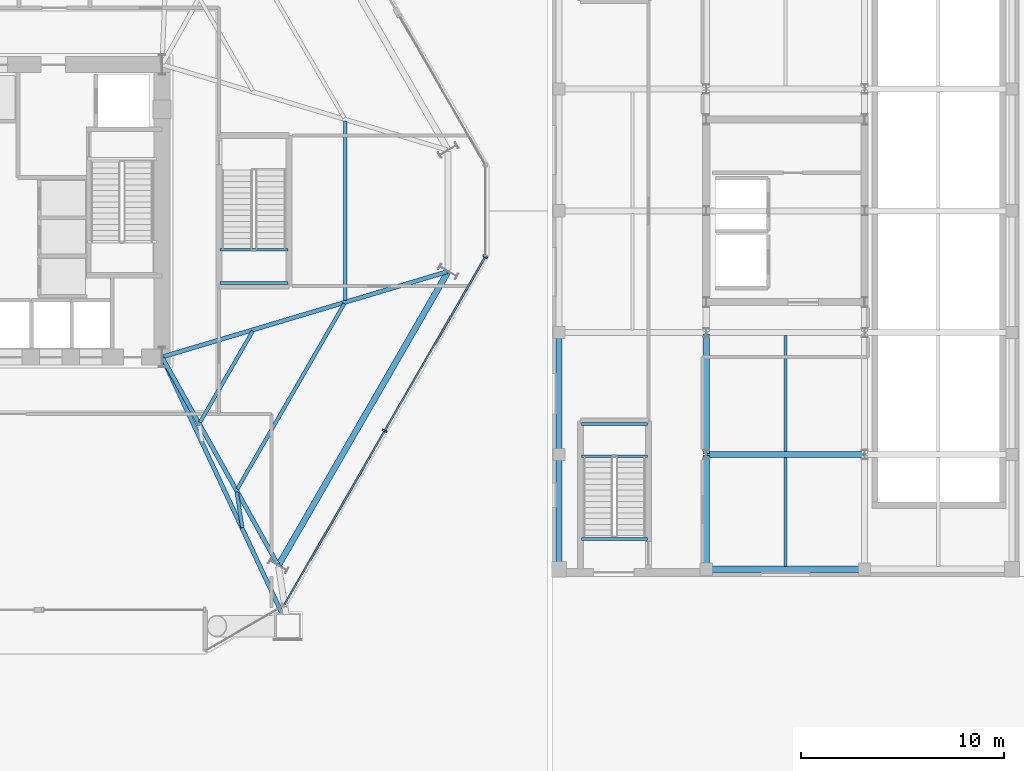
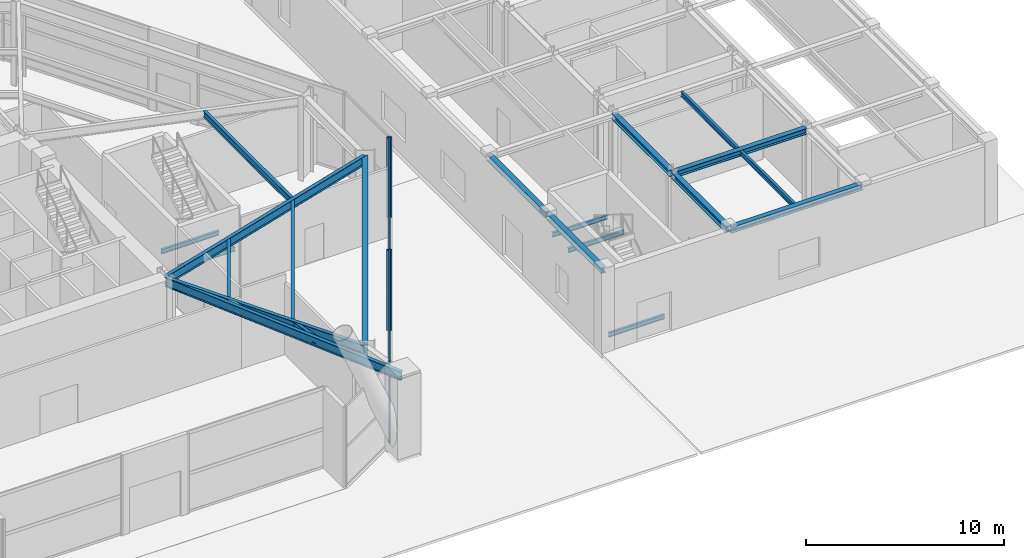
# One storey, part 9 of 26: 21 beams, 8 members, 1 element without a shape of its own.
"""IFC4 building model written with IfcOpenShell, lengths in metres."""

from ifc_helpers import new_model, si_unit, direction, frame, origin, origin_2d, place, context, subcontext, project, spatial, rectangle, i_section, extrude, material, layer, layer_set, material_profile, profile_set, type_object, element, aggregate, save


model = new_model("IFC4")

# Units and contexts
model_context = context("Model", 3, precision=1e-05, world=origin(), true_north=direction((0.0, 1.0)))
body_context = subcontext(model_context, "Body", "Model", "MODEL_VIEW")
ifc_project = project(units=[si_unit("LENGTHUNIT", "METRE"), si_unit("AREAUNIT", "SQUARE_METRE"), si_unit("VOLUMEUNIT", "CUBIC_METRE"), si_unit("PLANEANGLEUNIT", "RADIAN"), si_unit("MASSUNIT", "GRAM", prefix="KILO")], contexts=[model_context])

# Site, building, storey
site_placement = place(None, origin())
site = spatial("IfcSite", under=ifc_project, at=site_placement, CompositionType="ELEMENT")
building_placement = place(site_placement, origin())
building = spatial("IfcBuilding", under=site, at=building_placement, Name="Kranzbogen Civic Tower", CompositionType="ELEMENT")
storey_placement = place(building_placement, origin())
storey = spatial("IfcBuildingStorey", under=building, at=storey_placement, Name="L00", CompositionType="ELEMENT", Elevation=0.0)

# Curtain wall, members
ifc_material_1 = material(Name="Pale Anodised Aluminium", Category="aluminium")
ifc_layer = layer(ifc_material_1, 0.219970703125, Name="Pale Anodised Aluminium")
ifc_layer_set = layer_set([ifc_layer], Name="Pale Anodised Aluminium")
curtain_wall_type = type_object("IfcCurtainWallType", Name="Podium Stick Curtain Wall System CW-01", PredefinedType="USERDEFINED", material=ifc_layer_set)
curtain_wall_placement = place(storey_placement, origin())
curtain_wall = element("IfcCurtainWall", 1, at=curtain_wall_placement, inside=storey, type_object=curtain_wall_type, Name="L00 curtain wall CW-L00-F6", ObjectType="STICK CURTAIN WALL", PredefinedType="USERDEFINED")
ifc_material_profile_1 = material_profile(ifc_material_1, rectangle(XDim=0.0849609375, YDim=0.260009765625, at=origin_2d()), Name="ALU-M 85x260")
ifc_profile_set_1 = profile_set([ifc_material_profile_1], Name="Pale Anodised Aluminium")
member_type_1 = type_object("IfcMemberType", Name="Curtain Wall Mullion ALU-M 85x260", PredefinedType="MULLION", material=ifc_profile_set_1)
member_1_placement = place(storey_placement, frame((43.76904296875, 14.16357421875, 0.0), z_axis=(0.0, 0.0, 1.0), x_axis=(0.500005767433, 0.86602207393, 0.0)))
member_1 = element("IfcMember", 2, at=member_1_placement, type_object=member_type_1, Name="CW-01 mullion 2", PredefinedType="MULLION", context=body_context, shape_type="SweptSolid", body=[
    extrude(rectangle(XDim=0.0849609375, YDim=0.260009765625, at=origin_2d()), origin(), (0.0, 0.0, 1.0), 4.93994140625),
])
member_2_placement = place(storey_placement, frame((48.718994140625, 22.737060546875, 0.0), z_axis=(0.0, 0.0, 1.0), x_axis=(0.500005767433, 0.86602207393, 0.0)))
member_2 = element("IfcMember", 3, at=member_2_placement, type_object=member_type_1, Name="CW-01 mullion 3", PredefinedType="MULLION", context=body_context, shape_type="SweptSolid", body=[
    extrude(rectangle(XDim=0.0849609375, YDim=0.260009765625, at=origin_2d()), origin(), (0.0, 0.0, 1.0), 4.93994140625),
])
ifc_material_profile_2 = material_profile(ifc_material_1, rectangle(XDim=0.0849609375, YDim=0.195068359375, at=origin_2d()), Name="ALU-T 85x195")
ifc_profile_set_2 = profile_set([ifc_material_profile_2], Name="Pale Anodised Aluminium")
member_type_2 = type_object("IfcMemberType", Name="Curtain Wall Transom ALU-T 85x195", PredefinedType="USERDEFINED", material=ifc_profile_set_2)
member_3_placement = place(storey_placement, frame((38.833984375, 5.615966796875, 0.030029296875), z_axis=(0.500003092839, 0.866023618125, 0.0), x_axis=(-0.866023618125, 0.500003092839, 0.0)))
member_3 = element("IfcMember", 4, at=member_3_placement, type_object=member_type_2, Name="CW-01 transom 1.1", ObjectType="TRANSOM", PredefinedType="USERDEFINED", context=body_context, shape_type="SweptSolid", body=[
    extrude(rectangle(XDim=0.0849609375, YDim=0.195068359375, at=origin_2d()), origin(), (0.0, 0.0, 1.0), 9.83984375),
])
member_4_placement = place(storey_placement, frame((38.833984375, 5.615966796875, 2.39990234375), z_axis=(0.500003092839, 0.866023618125, 0.0), x_axis=(-0.866023618125, 0.500003092839, 0.0)))
member_4 = element("IfcMember", 5, at=member_4_placement, type_object=member_type_2, Name="CW-01 transom 1.2", ObjectType="TRANSOM", PredefinedType="USERDEFINED", context=body_context, shape_type="SweptSolid", body=[
    extrude(rectangle(XDim=0.0849609375, YDim=0.195068359375, at=origin_2d()), origin(), (0.0, 0.0, 1.0), 9.83984375),
])
member_5_placement = place(storey_placement, frame((38.833984375, 5.615966796875, 4.909912109375), z_axis=(0.500003092839, 0.866023618125, 0.0), x_axis=(-0.866023618125, 0.500003092839, 0.0)))
member_5 = element("IfcMember", 6, at=member_5_placement, type_object=member_type_2, Name="CW-01 transom 1.3", ObjectType="TRANSOM", PredefinedType="USERDEFINED", context=body_context, shape_type="SweptSolid", body=[
    extrude(rectangle(XDim=0.0849609375, YDim=0.195068359375, at=origin_2d()), origin(), (0.0, 0.0, 1.0), 9.83984375),
])
member_6_placement = place(storey_placement, frame((43.783935546875, 14.189453125, 0.030029296875), z_axis=(0.500021701106, 0.866012874282, 0.0), x_axis=(-0.866012874282, 0.500021701106, 0.0)))
member_6 = element("IfcMember", 7, at=member_6_placement, type_object=member_type_2, Name="CW-01 transom 2.1", ObjectType="TRANSOM", PredefinedType="USERDEFINED", context=body_context, shape_type="SweptSolid", body=[
    extrude(rectangle(XDim=0.0849609375, YDim=0.195068359375, at=origin_2d()), origin(), (0.0, 0.0, 1.0), 9.83984375),
])
member_7_placement = place(storey_placement, frame((43.783935546875, 14.189453125, 2.39990234375), z_axis=(0.500021701106, 0.866012874282, 0.0), x_axis=(-0.866012874282, 0.500021701106, 0.0)))
member_7 = element("IfcMember", 8, at=member_7_placement, type_object=member_type_2, Name="CW-01 transom 2.2", ObjectType="TRANSOM", PredefinedType="USERDEFINED", context=body_context, shape_type="SweptSolid", body=[
    extrude(rectangle(XDim=0.0849609375, YDim=0.195068359375, at=origin_2d()), origin(), (0.0, 0.0, 1.0), 9.83984375),
])
member_8_placement = place(storey_placement, frame((43.783935546875, 14.189453125, 4.909912109375), z_axis=(0.500021701106, 0.866012874282, 0.0), x_axis=(-0.866012874282, 0.500021701106, 0.0)))
member_8 = element("IfcMember", 9, at=member_8_placement, type_object=member_type_2, Name="CW-01 transom 2.3", ObjectType="TRANSOM", PredefinedType="USERDEFINED", context=body_context, shape_type="SweptSolid", body=[
    extrude(rectangle(XDim=0.0849609375, YDim=0.195068359375, at=origin_2d()), origin(), (0.0, 0.0, 1.0), 9.83984375),
])
aggregate(curtain_wall, [member_1, member_2, member_3, member_4, member_5, member_6, member_7, member_8])

# Beams
ifc_material_2 = material(Name="Steel S355", Category="steel")
ifc_material_profile_3 = material_profile(ifc_material_2, i_section(OverallWidth=0.300048828125, OverallDepth=0.360107421875, WebThickness=0.012451171875, FlangeThickness=0.0224609375, at=origin_2d()), Name="HEB 360")
ifc_profile_set_3 = profile_set([ifc_material_profile_3], Name="Steel S355")
beam_type_1 = type_object("IfcBeamType", Name="Health Centre Primary Floor Beam HEB 360", PredefinedType="BEAM", material=ifc_profile_set_3)
for number, where, z_axis, x_axis, name in (
    (10, (59.659912109375, 7.35009765625, 4.760009765625), (1.0, 0.0, 0.0), (0.0, 1.0, 0.0), "L00 Health Centre X girder 2-1"),
    (11, (59.659912109375, 13.0, 4.760009765625), (1.0, 0.0, 0.0), (0.0, 1.0, 0.0), "L00 Health Centre X girder 2-2"),
):
    element("IfcBeam", number, at=place(storey_placement, frame(where, z_axis=z_axis, x_axis=x_axis)), inside=storey, type_object=beam_type_1, Name=name, PredefinedType="BEAM", context=body_context, shape_type="SweptSolid", body=[
        extrude(i_section(OverallWidth=0.300048828125, OverallDepth=0.360107421875, WebThickness=0.012451171875, FlangeThickness=0.0224609375, at=origin_2d()), origin(), (0.0, 0.0, 1.0), 7.68017578125),
    ])
for number, where, z_axis, x_axis, name in (
    (12, (52.35009765625, 7.409912109375, 4.760009765625), (0.0, 1.0, 0.0), (-1.0, 0.0, 0.0), "L00 Health Centre Y girder 1-1"),
    (13, (59.60009765625, 7.409912109375, 4.760009765625), (0.0, 1.0, 0.0), (-1.0, 0.0, 0.0), "L00 Health Centre Y girder 2-1"),
):
    element("IfcBeam", number, at=place(storey_placement, frame(where, z_axis=z_axis, x_axis=x_axis)), inside=storey, type_object=beam_type_1, Name=name, PredefinedType="BEAM", context=body_context, shape_type="SweptSolid", body=[
        extrude(i_section(OverallWidth=0.300048828125, OverallDepth=0.360107421875, WebThickness=0.012451171875, FlangeThickness=0.0224609375, at=origin_2d()), origin(), (0.0, 0.0, 1.0), 5.530029296875),
    ])
for number, where, z_axis, x_axis, name in (
    (14, (52.35009765625, 13.06005859375, 4.760009765625), (0.0, 1.0, 0.0), (-1.0, 0.0, 0.0), "L00 Health Centre Y girder 1-2"),
    (15, (59.60009765625, 13.06005859375, 4.760009765625), (0.0, 1.0, 0.0), (-1.0, 0.0, 0.0), "L00 Health Centre Y girder 2-2"),
):
    element("IfcBeam", number, at=place(storey_placement, frame(where, z_axis=z_axis, x_axis=x_axis)), inside=storey, type_object=beam_type_1, Name=name, PredefinedType="BEAM", context=body_context, shape_type="SweptSolid", body=[
        extrude(i_section(OverallWidth=0.300048828125, OverallDepth=0.360107421875, WebThickness=0.012451171875, FlangeThickness=0.0224609375, at=origin_2d()), origin(), (0.0, 0.0, 1.0), 5.8798828125),
    ])
ifc_material_profile_4 = material_profile(ifc_material_2, i_section(OverallWidth=0.14990234375, OverallDepth=0.300048828125, WebThickness=0.007080078125, FlangeThickness=0.0107421875, at=origin_2d()), Name="IPE 300")
ifc_profile_set_4 = profile_set([ifc_material_profile_4], Name="Steel S355")
beam_type_2 = type_object("IfcBeamType", Name="Health Centre Secondary Joist IPE 300", PredefinedType="JOIST", material=ifc_profile_set_4)
beam_1_placement = place(storey_placement, frame((63.5, 7.489990234375, 4.7900390625), z_axis=(0.0, 1.0, 0.0), x_axis=(-1.0, 0.0, 0.0)))
element("IfcBeam", 16, at=beam_1_placement, inside=storey, type_object=beam_type_2, Name="L00 Health Centre secondary joist 2-1", PredefinedType="JOIST", context=body_context, shape_type="SweptSolid", body=[
    extrude(i_section(OverallWidth=0.14990234375, OverallDepth=0.300048828125, WebThickness=0.007080078125, FlangeThickness=0.0107421875, at=origin_2d()), origin(), (0.0, 0.0, 1.0), 5.3701171875),
])
beam_2_placement = place(storey_placement, frame((63.5, 13.139892578125, 4.7900390625), z_axis=(0.0, 1.0, 0.0), x_axis=(-1.0, 0.0, 0.0)))
element("IfcBeam", 17, at=beam_2_placement, inside=storey, type_object=beam_type_2, Name="L00 Health Centre secondary joist 2-2", PredefinedType="JOIST", context=body_context, shape_type="SweptSolid", body=[
    extrude(i_section(OverallWidth=0.14990234375, OverallDepth=0.300048828125, WebThickness=0.007080078125, FlangeThickness=0.0107421875, at=origin_2d()), origin(), (0.0, 0.0, 1.0), 5.72021484375),
])
ifc_material_profile_5 = material_profile(ifc_material_2, i_section(OverallWidth=0.300048828125, OverallDepth=0.699951171875, WebThickness=0.01708984375, FlangeThickness=0.031982421875, at=origin_2d()), Name="HEB 700")
ifc_profile_set_5 = profile_set([ifc_material_profile_5], Name="Steel S355")
beam_type_3 = type_object("IfcBeamType", Name="Perimeter Tube Spandrel Beam HEB 700", PredefinedType="SPANDREL", material=ifc_profile_set_5)
beam_3_placement = place(storey_placement, frame((38.56103515625, 7.587890625, 4.590087890625), z_axis=(0.500010210561, 0.866019508634, 0.0), x_axis=(-0.866019508634, 0.500010210561, 0.0)))
element("IfcBeam", 18, at=beam_3_placement, inside=storey, type_object=beam_type_3, Name="L00 perimeter spandrel beam 05", PredefinedType="SPANDREL", context=body_context, shape_type="SweptSolid", body=[
    extrude(i_section(OverallWidth=0.300048828125, OverallDepth=0.699951171875, WebThickness=0.01708984375, FlangeThickness=0.031982421875, at=origin_2d()), origin(), (0.0, 0.0, 1.0), 16.597900390625),
])
ifc_material_profile_6 = material_profile(ifc_material_2, i_section(OverallWidth=0.2099609375, OverallDepth=0.550048828125, WebThickness=0.010986328125, FlangeThickness=0.01708984375, at=origin_2d()), Name="IPE 550")
ifc_profile_set_6 = profile_set([ifc_material_profile_6], Name="Steel S355")
beam_type_4 = type_object("IfcBeamType", Name="Radial Tower Floor Girder IPE 550", PredefinedType="BEAM", material=ifc_profile_set_6)
beam_4_placement = place(storey_placement, frame((38.97509765625, 4.60400390625, 4.6650390625), z_axis=(-0.423857000271, 0.905729122487, 0.0), x_axis=(-0.905729122487, -0.423857000271, 0.0)))
element("IfcBeam", 19, at=beam_4_placement, inside=storey, type_object=beam_type_4, Name="L00 radial floor girder 04", PredefinedType="BEAM", context=body_context, shape_type="SweptSolid", body=[
    extrude(i_section(OverallWidth=0.2099609375, OverallDepth=0.550048828125, WebThickness=0.010986328125, FlangeThickness=0.01708984375, at=origin_2d()), origin(), (0.0, 0.0, 1.0), 14.510009765625),
])
beam_5_placement = place(storey_placement, frame((38.501953125, 7.587890625, 4.6650390625), z_axis=(-0.487501570266, 0.87312211001, 0.0), x_axis=(-0.87312211001, -0.487501570266, 0.0)))
element("IfcBeam", 20, at=beam_5_placement, inside=storey, type_object=beam_type_4, Name="L00 radial floor girder 05", PredefinedType="BEAM", context=body_context, shape_type="SweptSolid", body=[
    extrude(i_section(OverallWidth=0.2099609375, OverallDepth=0.550048828125, WebThickness=0.010986328125, FlangeThickness=0.01708984375, at=origin_2d()), origin(), (0.0, 0.0, 1.0), 11.636474609375),
])
beam_6_placement = place(storey_placement, frame((46.8330078125, 21.9970703125, 4.6650390625), z_axis=(-0.958064557048, -0.286552446385, 0.0), x_axis=(0.286552446385, -0.958064557048, 0.0)))
element("IfcBeam", 21, at=beam_6_placement, inside=storey, type_object=beam_type_4, Name="L00 radial floor girder 06", PredefinedType="BEAM", context=body_context, shape_type="SweptSolid", body=[
    extrude(i_section(OverallWidth=0.2099609375, OverallDepth=0.550048828125, WebThickness=0.010986328125, FlangeThickness=0.01708984375, at=origin_2d()), origin(), (0.0, 0.0, 1.0), 14.587890625),
])
ifc_material_profile_7 = material_profile(ifc_material_2, i_section(OverallWidth=0.179931640625, OverallDepth=0.39990234375, WebThickness=0.008544921875, FlangeThickness=0.013427734375, at=origin_2d()), Name="IPE 400")
ifc_profile_set_7 = profile_set([ifc_material_profile_7], Name="Steel S355")
beam_type_5 = type_object("IfcBeamType", Name="Secondary Composite Floor Joist IPE 400", PredefinedType="JOIST", material=ifc_profile_set_7)
beam_7_placement = place(storey_placement, frame((36.756103515625, 9.39892578125, 4.739990234375), z_axis=(-0.155581109843, 0.987823120938, 0.0), x_axis=(-0.987823120938, -0.155581109843, 0.0)))
element("IfcBeam", 22, at=beam_7_placement, inside=storey, type_object=beam_type_5, Name="L00 secondary floor joist 1.04", PredefinedType="JOIST", context=body_context, shape_type="SweptSolid", body=[
    extrude(i_section(OverallWidth=0.179931640625, OverallDepth=0.39990234375, WebThickness=0.008544921875, FlangeThickness=0.013427734375, at=origin_2d()), origin(), (0.0, 0.0, 1.0), 1.77490234375),
])
beam_8_placement = place(storey_placement, frame((36.508056640625, 11.300048828125, 4.739990234375), z_axis=(0.500000488781, 0.866025121586, 0.0), x_axis=(-0.866025121586, 0.500000488781, 0.0)))
element("IfcBeam", 23, at=beam_8_placement, inside=storey, type_object=beam_type_5, Name="L00 secondary floor joist 1.05", PredefinedType="JOIST", context=body_context, shape_type="SweptSolid", body=[
    extrude(i_section(OverallWidth=0.179931640625, OverallDepth=0.39990234375, WebThickness=0.008544921875, FlangeThickness=0.013427734375, at=origin_2d()), origin(), (0.0, 0.0, 1.0), 10.5400390625),
])
beam_9_placement = place(storey_placement, frame((34.674072265625, 14.5849609375, 4.739990234375), z_axis=(0.500040090343, 0.866002256377, 0.0), x_axis=(-0.866002256377, 0.500040090343, 0.0)))
element("IfcBeam", 24, at=beam_9_placement, inside=storey, type_object=beam_type_5, Name="L00 secondary floor joist 2.05", PredefinedType="JOIST", context=body_context, shape_type="SweptSolid", body=[
    extrude(i_section(OverallWidth=0.179931640625, OverallDepth=0.39990234375, WebThickness=0.008544921875, FlangeThickness=0.013427734375, at=origin_2d()), origin(), (0.0, 0.0, 1.0), 5.189453125),
])
beam_10_placement = place(storey_placement, frame((41.818115234375, 20.576904296875, 4.739990234375), z_axis=(0.0, 1.0, 0.0), x_axis=(-1.0, 0.0, 0.0)))
element("IfcBeam", 25, at=beam_10_placement, inside=storey, type_object=beam_type_5, Name="L00 secondary floor joist 1.06", PredefinedType="JOIST", context=body_context, shape_type="SweptSolid", body=[
    extrude(i_section(OverallWidth=0.179931640625, OverallDepth=0.39990234375, WebThickness=0.008544921875, FlangeThickness=0.013427734375, at=origin_2d()), origin(), (0.0, 0.0, 1.0), 8.84619140625),
])
ifc_material_profile_8 = material_profile(ifc_material_2, i_section(OverallWidth=0.135009765625, OverallDepth=0.27001953125, WebThickness=0.006591796875, FlangeThickness=0.01025390625, at=origin_2d()), Name="IPE 270")
ifc_profile_set_8 = profile_set([ifc_material_profile_8], Name="Steel S355")
beam_type_6 = type_object("IfcBeamType", Name="Stair Landing Support Beam IPE 270", PredefinedType="JOIST", material=ifc_profile_set_8)
for number, where, z_axis, x_axis, name in (
    (26, (35.64990234375, 23.080078125, 2.264892578125), (1.0, 0.0, 0.0), (0.0, 1.0, 0.0), "L00 ST-P2 landing support beam 1.1"),
    (27, (35.64990234375, 21.449951171875, 2.264892578125), (1.0, 0.0, 0.0), (0.0, 1.0, 0.0), "L00 ST-P2 landing support beam 1.2"),
):
    element("IfcBeam", number, at=place(storey_placement, frame(where, z_axis=z_axis, x_axis=x_axis)), inside=storey, type_object=beam_type_6, Name=name, PredefinedType="JOIST", context=body_context, shape_type="SweptSolid", body=[
        extrude(i_section(OverallWidth=0.135009765625, OverallDepth=0.27001953125, WebThickness=0.006591796875, FlangeThickness=0.01025390625, at=origin_2d()), origin(), (0.0, 0.0, 1.0), 3.35009765625),
    ])
for number, where, z_axis, x_axis, name in (
    (28, (56.699951171875, 8.840087890625, -0.455078125), (-1.0, 0.0, 0.0), (0.0, -1.0, 0.0), "L00 ST-H1 stair floor header beam"),
    (29, (56.699951171875, 12.919921875, 2.264892578125), (-1.0, 0.0, 0.0), (0.0, -1.0, 0.0), "L00 ST-H1 landing support beam 1.1"),
    (30, (56.699951171875, 14.5, 2.264892578125), (-1.0, 0.0, 0.0), (0.0, -1.0, 0.0), "L00 ST-H1 landing support beam 1.2"),
):
    element("IfcBeam", number, at=place(storey_placement, frame(where, z_axis=z_axis, x_axis=x_axis)), inside=storey, type_object=beam_type_6, Name=name, PredefinedType="JOIST", context=body_context, shape_type="SweptSolid", body=[
        extrude(i_section(OverallWidth=0.135009765625, OverallDepth=0.27001953125, WebThickness=0.006591796875, FlangeThickness=0.01025390625, at=origin_2d()), origin(), (0.0, 0.0, 1.0), 3.25),
    ])

save(model, "model.ifc")
